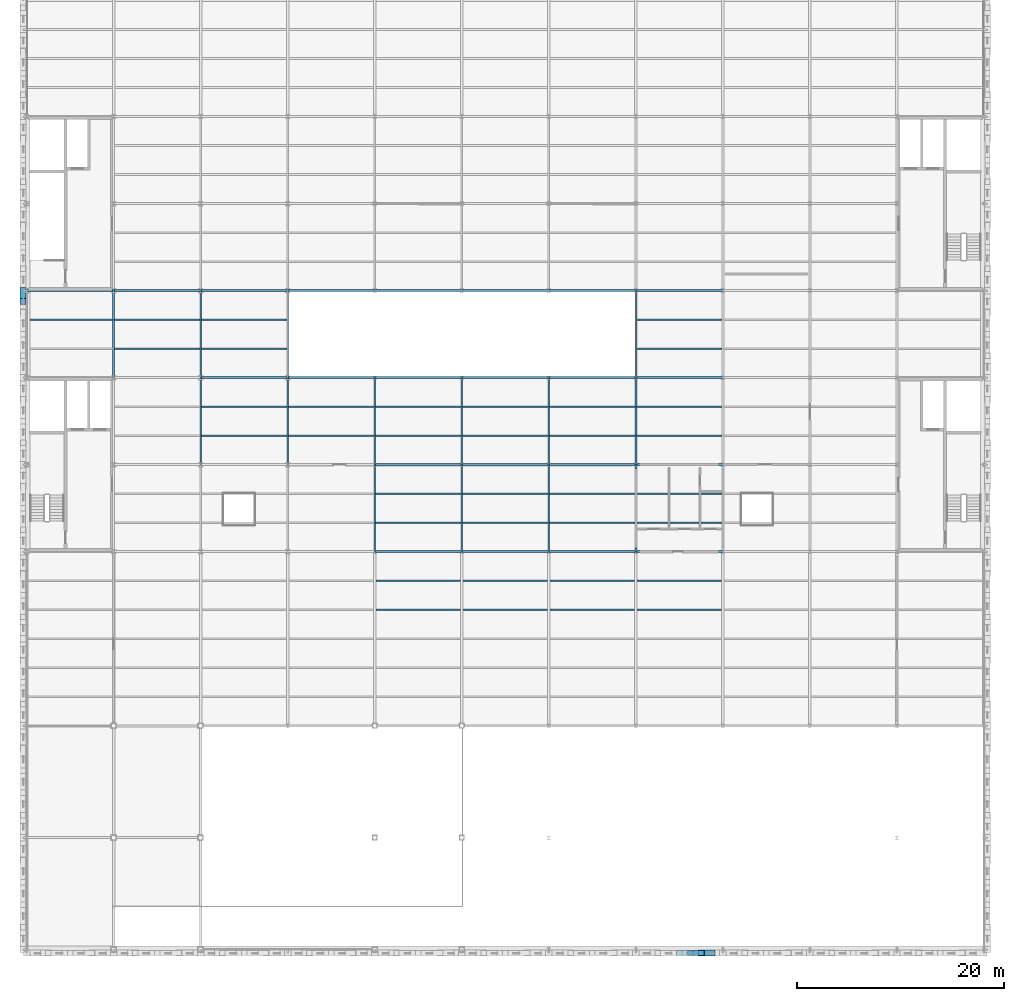
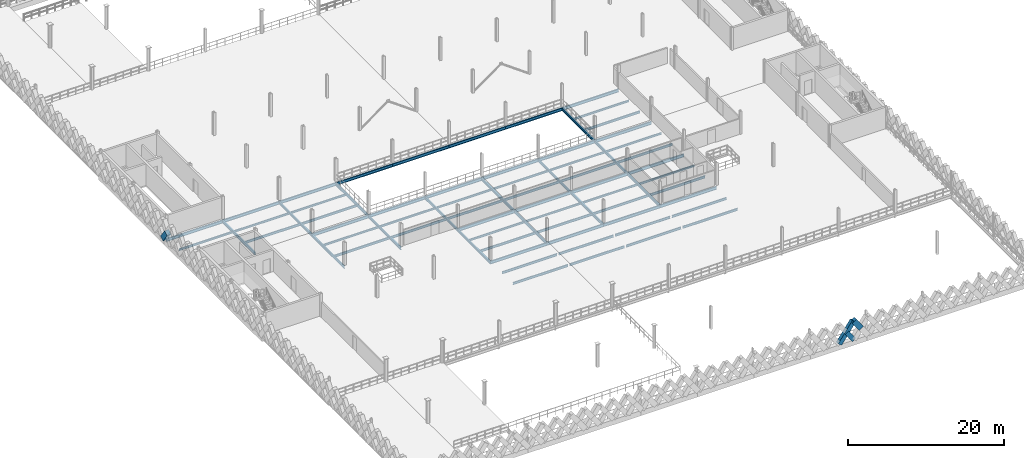
# One storey, part 17 of 47: 71 beams, 4 members.
"""IFC4 building model written with IfcOpenShell, lengths in metres."""

from ifc_helpers import new_model, si_unit, direction, frame, origin, origin_2d, place, context, subcontext, project, spatial, rectangle, i_section, extrude, material, material_profile, profile_set, type_object, element, save


model = new_model("IFC4")

# Units and contexts
model_context = context("Model", 3, precision=1e-05, world=origin(), true_north=direction((0.0, 1.0)))
body_context = subcontext(model_context, "Body", "Model", "MODEL_VIEW")
ifc_project = project(units=[si_unit("LENGTHUNIT", "METRE"), si_unit("AREAUNIT", "SQUARE_METRE"), si_unit("VOLUMEUNIT", "CUBIC_METRE"), si_unit("PLANEANGLEUNIT", "RADIAN"), si_unit("MASSUNIT", "GRAM", prefix="KILO"), si_unit("THERMODYNAMICTEMPERATUREUNIT", "KELVIN"), si_unit("POWERUNIT", "WATT")], contexts=[model_context])

# Site, building, storey
site_placement = place(None, origin())
site = spatial("IfcSite", under=ifc_project, at=site_placement, CompositionType="ELEMENT")
building_placement = place(site_placement, origin())
building = spatial("IfcBuilding", under=site, at=building_placement, Name="Tembeka Court Mobility Hub", CompositionType="ELEMENT")
storey_placement = place(building_placement, frame((0.0, 0.0, 19.800048828125)))
storey = spatial("IfcBuildingStorey", under=building, at=storey_placement, Name="L05", CompositionType="ELEMENT", Elevation=19.800048828125)

# Beams
ifc_material_1 = material(Name="Steel S355", Category="steel")
ifc_material_profile_1 = material_profile(ifc_material_1, i_section(OverallWidth=0.18994140625, OverallDepth=0.45703125, WebThickness=0.009033203125, FlangeThickness=0.014404296875, FilletRadius=0.01025390625, at=origin_2d()), Name="UKB 457x191x74")
ifc_profile_set_1 = profile_set([ifc_material_profile_1], Name="Steel S355")
beam_type_1 = type_object("IfcBeamType", Name="BM-B01", PredefinedType="BEAM", material=ifc_profile_set_1)
for number, where, z_axis, x_axis, name in (
    (1, (33.60009765625, 38.39990234375, -0.448486328125), (1.0, 0.0, 0.0), (0.0, 1.0, 0.0), "Beam B01 (BM-L05-X2695)"),
    (2, (42.0, 38.39990234375, -0.448486328125), (1.0, 0.0, 0.0), (0.0, 1.0, 0.0), "Beam B01 (BM-L05-X2696)"),
):
    element("IfcBeam", number, at=place(storey_placement, frame(where, z_axis=z_axis, x_axis=x_axis)), inside=storey, type_object=beam_type_1, Name=name, PredefinedType="BEAM", context=body_context, shape_type="SweptSolid", body=[
        extrude(i_section(OverallWidth=0.18994140625, OverallDepth=0.45703125, WebThickness=0.009033203125, FlangeThickness=0.014404296875, FilletRadius=0.01025390625, at=origin_2d()), origin(), (0.0, 0.0, 1.0), 8.39990234375),
    ])
beam_1_placement = place(storey_placement, frame((50.39990234375, 38.39990234375, -0.448486328125), z_axis=(1.0, 0.0, 0.0), x_axis=(0.0, 1.0, 0.0)))
element("IfcBeam", 3, at=beam_1_placement, inside=storey, type_object=beam_type_1, Name="Beam B01 (BM-L05-X2697)", PredefinedType="BEAM", context=body_context, shape_type="SweptSolid", body=[
    extrude(i_section(OverallWidth=0.18994140625, OverallDepth=0.45703125, WebThickness=0.009033203125, FlangeThickness=0.014404296875, FilletRadius=0.01025390625, at=origin_2d()), origin(), (0.0, 0.0, 1.0), 8.400146484375),
])
for number, where, z_axis, x_axis, name in (
    (4, (58.800048828125, 38.39990234375, -0.448486328125), (1.0, 0.0, 0.0), (0.0, 1.0, 0.0), "Beam B01 (BM-L05-X2698)"),
    (5, (33.60009765625, 46.800048828125, -0.448486328125), (1.0, 0.0, 0.0), (0.0, 1.0, 0.0), "Beam B01 (BM-L05-X2705)"),
    (6, (42.0, 46.800048828125, -0.448486328125), (1.0, 0.0, 0.0), (0.0, 1.0, 0.0), "Beam B01 (BM-L05-X2706)"),
):
    element("IfcBeam", number, at=place(storey_placement, frame(where, z_axis=z_axis, x_axis=x_axis)), inside=storey, type_object=beam_type_1, Name=name, PredefinedType="BEAM", context=body_context, shape_type="SweptSolid", body=[
        extrude(i_section(OverallWidth=0.18994140625, OverallDepth=0.45703125, WebThickness=0.009033203125, FlangeThickness=0.014404296875, FilletRadius=0.01025390625, at=origin_2d()), origin(), (0.0, 0.0, 1.0), 8.39990234375),
    ])
beam_2_placement = place(storey_placement, frame((50.39990234375, 46.800048828125, -0.448486328125), z_axis=(1.0, 0.0, 0.0), x_axis=(0.0, 1.0, 0.0)))
element("IfcBeam", 7, at=beam_2_placement, inside=storey, type_object=beam_type_1, Name="Beam B01 (BM-L05-X2707)", PredefinedType="BEAM", context=body_context, shape_type="SweptSolid", body=[
    extrude(i_section(OverallWidth=0.18994140625, OverallDepth=0.45703125, WebThickness=0.009033203125, FlangeThickness=0.014404296875, FilletRadius=0.01025390625, at=origin_2d()), origin(), (0.0, 0.0, 1.0), 8.400146484375),
])
for number, where, z_axis, x_axis, name in (
    (8, (58.800048828125, 46.800048828125, -0.448486328125), (1.0, 0.0, 0.0), (0.0, 1.0, 0.0), "Beam B01 (BM-L05-X2708)"),
    (9, (16.800048828125, 55.199951171875, -0.448486328125), (1.0, 0.0, 0.0), (0.0, 1.0, 0.0), "Beam B01 (BM-L05-X2713)"),
):
    element("IfcBeam", number, at=place(storey_placement, frame(where, z_axis=z_axis, x_axis=x_axis)), inside=storey, type_object=beam_type_1, Name=name, PredefinedType="BEAM", context=body_context, shape_type="SweptSolid", body=[
        extrude(i_section(OverallWidth=0.18994140625, OverallDepth=0.45703125, WebThickness=0.009033203125, FlangeThickness=0.014404296875, FilletRadius=0.01025390625, at=origin_2d()), origin(), (0.0, 0.0, 1.0), 8.39990234375),
    ])
beam_3_placement = place(storey_placement, frame((25.199951171875, 55.199951171875, -0.448486328125), z_axis=(1.0, 0.0, 0.0), x_axis=(0.0, 1.0, 0.0)))
element("IfcBeam", 10, at=beam_3_placement, inside=storey, type_object=beam_type_1, Name="Beam B01 (BM-L05-X2714)", PredefinedType="BEAM", context=body_context, shape_type="SweptSolid", body=[
    extrude(i_section(OverallWidth=0.18994140625, OverallDepth=0.45703125, WebThickness=0.009033203125, FlangeThickness=0.014404296875, FilletRadius=0.01025390625, at=origin_2d()), origin(), (0.0, 0.0, 1.0), 8.400146484375),
])
for number, where, z_axis, x_axis, name in (
    (11, (33.60009765625, 55.199951171875, -0.448486328125), (1.0, 0.0, 0.0), (0.0, 1.0, 0.0), "Beam B01 (BM-L05-X2715)"),
    (12, (42.0, 55.199951171875, -0.448486328125), (1.0, 0.0, 0.0), (0.0, 1.0, 0.0), "Beam B01 (BM-L05-X2716)"),
):
    element("IfcBeam", number, at=place(storey_placement, frame(where, z_axis=z_axis, x_axis=x_axis)), inside=storey, type_object=beam_type_1, Name=name, PredefinedType="BEAM", context=body_context, shape_type="SweptSolid", body=[
        extrude(i_section(OverallWidth=0.18994140625, OverallDepth=0.45703125, WebThickness=0.009033203125, FlangeThickness=0.014404296875, FilletRadius=0.01025390625, at=origin_2d()), origin(), (0.0, 0.0, 1.0), 8.39990234375),
    ])
beam_4_placement = place(storey_placement, frame((50.39990234375, 55.199951171875, -0.448486328125), z_axis=(1.0, 0.0, 0.0), x_axis=(0.0, 1.0, 0.0)))
element("IfcBeam", 13, at=beam_4_placement, inside=storey, type_object=beam_type_1, Name="Beam B01 (BM-L05-X2717)", PredefinedType="BEAM", context=body_context, shape_type="SweptSolid", body=[
    extrude(i_section(OverallWidth=0.18994140625, OverallDepth=0.45703125, WebThickness=0.009033203125, FlangeThickness=0.014404296875, FilletRadius=0.01025390625, at=origin_2d()), origin(), (0.0, 0.0, 1.0), 8.400146484375),
])
for number, where, z_axis, x_axis, name in (
    (14, (58.800048828125, 55.199951171875, -0.448486328125), (1.0, 0.0, 0.0), (0.0, 1.0, 0.0), "Beam B01 (BM-L05-X2718)"),
    (15, (0.0, 63.60009765625, -0.448486328125), (1.0, 0.0, 0.0), (0.0, 1.0, 0.0), "Beam B01 (BM-L05-X2722)"),
):
    element("IfcBeam", number, at=place(storey_placement, frame(where, z_axis=z_axis, x_axis=x_axis)), inside=storey, type_object=beam_type_1, Name=name, PredefinedType="BEAM", context=body_context, shape_type="SweptSolid", body=[
        extrude(i_section(OverallWidth=0.18994140625, OverallDepth=0.45703125, WebThickness=0.009033203125, FlangeThickness=0.014404296875, FilletRadius=0.01025390625, at=origin_2d()), origin(), (0.0, 0.0, 1.0), 8.39990234375),
    ])
beam_5_placement = place(storey_placement, frame((8.39990234375, 63.60009765625, -0.448486328125), z_axis=(1.0, 0.0, 0.0), x_axis=(0.0, 1.0, 0.0)))
element("IfcBeam", 16, at=beam_5_placement, inside=storey, type_object=beam_type_1, Name="Beam B01 (BM-L05-X2723)", PredefinedType="BEAM", context=body_context, shape_type="SweptSolid", body=[
    extrude(i_section(OverallWidth=0.18994140625, OverallDepth=0.45703125, WebThickness=0.009033203125, FlangeThickness=0.014404296875, FilletRadius=0.01025390625, at=origin_2d()), origin(), (0.0, 0.0, 1.0), 8.400146484375),
])
beam_6_placement = place(storey_placement, frame((16.800048828125, 63.60009765625, -0.448486328125), z_axis=(1.0, 0.0, 0.0), x_axis=(0.0, 1.0, 0.0)))
element("IfcBeam", 17, at=beam_6_placement, inside=storey, type_object=beam_type_1, Name="Beam B01 (BM-L05-X2724)", PredefinedType="BEAM", context=body_context, shape_type="SweptSolid", body=[
    extrude(i_section(OverallWidth=0.18994140625, OverallDepth=0.45703125, WebThickness=0.009033203125, FlangeThickness=0.014404296875, FilletRadius=0.01025390625, at=origin_2d()), origin(), (0.0, 0.0, 1.0), 8.39990234375),
])
beam_7_placement = place(storey_placement, frame((25.199951171875, 63.60009765625, -0.448486328125), z_axis=(1.0, 0.0, 0.0), x_axis=(0.0, 1.0, 0.0)))
element("IfcBeam", 18, at=beam_7_placement, inside=storey, type_object=beam_type_1, Name="Beam B01 (BM-L05-X2725)", PredefinedType="BEAM", context=body_context, shape_type="SweptSolid", body=[
    extrude(i_section(OverallWidth=0.18994140625, OverallDepth=0.45703125, WebThickness=0.009033203125, FlangeThickness=0.014404296875, FilletRadius=0.01025390625, at=origin_2d()), origin(), (0.0, 0.0, 1.0), 8.400146484375),
])
for number, where, z_axis, x_axis, name in (
    (19, (33.60009765625, 63.60009765625, -0.448486328125), (1.0, 0.0, 0.0), (0.0, 1.0, 0.0), "Beam B01 (BM-L05-X2726)"),
    (20, (42.0, 63.60009765625, -0.448486328125), (1.0, 0.0, 0.0), (0.0, 1.0, 0.0), "Beam B01 (BM-L05-X2727)"),
):
    element("IfcBeam", number, at=place(storey_placement, frame(where, z_axis=z_axis, x_axis=x_axis)), inside=storey, type_object=beam_type_1, Name=name, PredefinedType="BEAM", context=body_context, shape_type="SweptSolid", body=[
        extrude(i_section(OverallWidth=0.18994140625, OverallDepth=0.45703125, WebThickness=0.009033203125, FlangeThickness=0.014404296875, FilletRadius=0.01025390625, at=origin_2d()), origin(), (0.0, 0.0, 1.0), 8.39990234375),
    ])
beam_8_placement = place(storey_placement, frame((50.39990234375, 63.60009765625, -0.448486328125), z_axis=(1.0, 0.0, 0.0), x_axis=(0.0, 1.0, 0.0)))
element("IfcBeam", 21, at=beam_8_placement, inside=storey, type_object=beam_type_1, Name="Beam B01 (BM-L05-X2728)", PredefinedType="BEAM", context=body_context, shape_type="SweptSolid", body=[
    extrude(i_section(OverallWidth=0.18994140625, OverallDepth=0.45703125, WebThickness=0.009033203125, FlangeThickness=0.014404296875, FilletRadius=0.01025390625, at=origin_2d()), origin(), (0.0, 0.0, 1.0), 8.400146484375),
])
beam_9_placement = place(storey_placement, frame((58.800048828125, 63.60009765625, -0.448486328125), z_axis=(1.0, 0.0, 0.0), x_axis=(0.0, 1.0, 0.0)))
element("IfcBeam", 22, at=beam_9_placement, inside=storey, type_object=beam_type_1, Name="Beam B01 (BM-L05-X2729)", PredefinedType="BEAM", context=body_context, shape_type="SweptSolid", body=[
    extrude(i_section(OverallWidth=0.18994140625, OverallDepth=0.45703125, WebThickness=0.009033203125, FlangeThickness=0.014404296875, FilletRadius=0.01025390625, at=origin_2d()), origin(), (0.0, 0.0, 1.0), 8.39990234375),
])
ifc_material_profile_2 = material_profile(ifc_material_1, i_section(OverallWidth=0.177978515625, OverallDepth=0.406005859375, WebThickness=0.0078125, FlangeThickness=0.0126953125, FilletRadius=0.01025390625, at=origin_2d()), Name="UKB 406x178x60")
ifc_profile_set_2 = profile_set([ifc_material_profile_2], Name="Steel S355")
beam_type_2 = type_object("IfcBeamType", Name="BM-B02", PredefinedType="BEAM", material=ifc_profile_set_2)
beam_10_placement = place(storey_placement, frame((8.39990234375, 55.199951171875, -0.423095703125), z_axis=(0.0, 1.0, 0.0), x_axis=(-1.0, 0.0, 0.0)))
element("IfcBeam", 23, at=beam_10_placement, inside=storey, type_object=beam_type_2, Name="Beam B02 (BM-L05-Y2792)", PredefinedType="BEAM", context=body_context, shape_type="SweptSolid", body=[
    extrude(i_section(OverallWidth=0.177978515625, OverallDepth=0.406005859375, WebThickness=0.0078125, FlangeThickness=0.0126953125, FilletRadius=0.01025390625, at=origin_2d()), origin(), (0.0, 0.0, 1.0), 8.400146484375),
])
beam_11_placement = place(storey_placement, frame((16.800048828125, 46.800048828125, -0.423095703125), z_axis=(0.0, 1.0, 0.0), x_axis=(-1.0, 0.0, 0.0)))
element("IfcBeam", 24, at=beam_11_placement, inside=storey, type_object=beam_type_2, Name="Beam B02 (BM-L05-Y2802)", PredefinedType="BEAM", context=body_context, shape_type="SweptSolid", body=[
    extrude(i_section(OverallWidth=0.177978515625, OverallDepth=0.406005859375, WebThickness=0.0078125, FlangeThickness=0.0126953125, FilletRadius=0.01025390625, at=origin_2d()), origin(), (0.0, 0.0, 1.0), 8.39990234375),
])
beam_12_placement = place(storey_placement, frame((16.800048828125, 55.199951171875, -0.423095703125), z_axis=(0.0, 1.0, 0.0), x_axis=(-1.0, 0.0, 0.0)))
element("IfcBeam", 25, at=beam_12_placement, inside=storey, type_object=beam_type_2, Name="Beam B02 (BM-L05-Y2803)", PredefinedType="BEAM", context=body_context, shape_type="SweptSolid", body=[
    extrude(i_section(OverallWidth=0.177978515625, OverallDepth=0.406005859375, WebThickness=0.0078125, FlangeThickness=0.0126953125, FilletRadius=0.01025390625, at=origin_2d()), origin(), (0.0, 0.0, 1.0), 8.400146484375),
])
beam_13_placement = place(storey_placement, frame((25.199951171875, 46.800048828125, -0.423095703125), z_axis=(0.0, 1.0, 0.0), x_axis=(-1.0, 0.0, 0.0)))
element("IfcBeam", 26, at=beam_13_placement, inside=storey, type_object=beam_type_2, Name="Beam B02 (BM-L05-Y2811)", PredefinedType="BEAM", context=body_context, shape_type="SweptSolid", body=[
    extrude(i_section(OverallWidth=0.177978515625, OverallDepth=0.406005859375, WebThickness=0.0078125, FlangeThickness=0.0126953125, FilletRadius=0.01025390625, at=origin_2d()), origin(), (0.0, 0.0, 1.0), 8.39990234375),
])
for number, where, z_axis, x_axis, name in (
    (27, (25.199951171875, 55.199951171875, -0.423095703125), (0.0, 1.0, 0.0), (-1.0, 0.0, 0.0), "Beam B02 (BM-L05-Y2812)"),
    (28, (33.60009765625, 38.39990234375, -0.423095703125), (0.0, 1.0, 0.0), (-1.0, 0.0, 0.0), "Beam B02 (BM-L05-Y2817)"),
):
    element("IfcBeam", number, at=place(storey_placement, frame(where, z_axis=z_axis, x_axis=x_axis)), inside=storey, type_object=beam_type_2, Name=name, PredefinedType="BEAM", context=body_context, shape_type="SweptSolid", body=[
        extrude(i_section(OverallWidth=0.177978515625, OverallDepth=0.406005859375, WebThickness=0.0078125, FlangeThickness=0.0126953125, FilletRadius=0.01025390625, at=origin_2d()), origin(), (0.0, 0.0, 1.0), 8.400146484375),
    ])
beam_14_placement = place(storey_placement, frame((33.60009765625, 46.800048828125, -0.423095703125), z_axis=(0.0, 1.0, 0.0), x_axis=(-1.0, 0.0, 0.0)))
element("IfcBeam", 29, at=beam_14_placement, inside=storey, type_object=beam_type_2, Name="Beam B02 (BM-L05-Y2818)", PredefinedType="BEAM", context=body_context, shape_type="SweptSolid", body=[
    extrude(i_section(OverallWidth=0.177978515625, OverallDepth=0.406005859375, WebThickness=0.0078125, FlangeThickness=0.0126953125, FilletRadius=0.01025390625, at=origin_2d()), origin(), (0.0, 0.0, 1.0), 8.39990234375),
])
beam_15_placement = place(storey_placement, frame((42.0, 38.39990234375, -0.423095703125), z_axis=(0.0, 1.0, 0.0), x_axis=(-1.0, 0.0, 0.0)))
element("IfcBeam", 30, at=beam_15_placement, inside=storey, type_object=beam_type_2, Name="Beam B02 (BM-L05-Y2823)", PredefinedType="BEAM", context=body_context, shape_type="SweptSolid", body=[
    extrude(i_section(OverallWidth=0.177978515625, OverallDepth=0.406005859375, WebThickness=0.0078125, FlangeThickness=0.0126953125, FilletRadius=0.01025390625, at=origin_2d()), origin(), (0.0, 0.0, 1.0), 8.400146484375),
])
beam_16_placement = place(storey_placement, frame((42.0, 46.800048828125, -0.423095703125), z_axis=(0.0, 1.0, 0.0), x_axis=(-1.0, 0.0, 0.0)))
element("IfcBeam", 31, at=beam_16_placement, inside=storey, type_object=beam_type_2, Name="Beam B02 (BM-L05-Y2824)", PredefinedType="BEAM", context=body_context, shape_type="SweptSolid", body=[
    extrude(i_section(OverallWidth=0.177978515625, OverallDepth=0.406005859375, WebThickness=0.0078125, FlangeThickness=0.0126953125, FilletRadius=0.01025390625, at=origin_2d()), origin(), (0.0, 0.0, 1.0), 8.39990234375),
])
beam_17_placement = place(storey_placement, frame((50.39990234375, 38.39990234375, -0.423095703125), z_axis=(0.0, 1.0, 0.0), x_axis=(-1.0, 0.0, 0.0)))
element("IfcBeam", 32, at=beam_17_placement, inside=storey, type_object=beam_type_2, Name="Beam B02 (BM-L05-Y2829)", PredefinedType="BEAM", context=body_context, shape_type="SweptSolid", body=[
    extrude(i_section(OverallWidth=0.177978515625, OverallDepth=0.406005859375, WebThickness=0.0078125, FlangeThickness=0.0126953125, FilletRadius=0.01025390625, at=origin_2d()), origin(), (0.0, 0.0, 1.0), 8.400146484375),
])
beam_18_placement = place(storey_placement, frame((50.39990234375, 46.800048828125, -0.423095703125), z_axis=(0.0, 1.0, 0.0), x_axis=(-1.0, 0.0, 0.0)))
element("IfcBeam", 33, at=beam_18_placement, inside=storey, type_object=beam_type_2, Name="Beam B02 (BM-L05-Y2830)", PredefinedType="BEAM", context=body_context, shape_type="SweptSolid", body=[
    extrude(i_section(OverallWidth=0.177978515625, OverallDepth=0.406005859375, WebThickness=0.0078125, FlangeThickness=0.0126953125, FilletRadius=0.01025390625, at=origin_2d()), origin(), (0.0, 0.0, 1.0), 8.39990234375),
])
beam_19_placement = place(storey_placement, frame((58.800048828125, 38.39990234375, -0.423095703125), z_axis=(0.0, 1.0, 0.0), x_axis=(-1.0, 0.0, 0.0)))
element("IfcBeam", 34, at=beam_19_placement, inside=storey, type_object=beam_type_2, Name="Beam B02 (BM-L05-Y2835)", PredefinedType="BEAM", context=body_context, shape_type="SweptSolid", body=[
    extrude(i_section(OverallWidth=0.177978515625, OverallDepth=0.406005859375, WebThickness=0.0078125, FlangeThickness=0.0126953125, FilletRadius=0.01025390625, at=origin_2d()), origin(), (0.0, 0.0, 1.0), 8.400146484375),
])
beam_20_placement = place(storey_placement, frame((58.800048828125, 46.800048828125, -0.423095703125), z_axis=(0.0, 1.0, 0.0), x_axis=(-1.0, 0.0, 0.0)))
element("IfcBeam", 35, at=beam_20_placement, inside=storey, type_object=beam_type_2, Name="Beam B02 (BM-L05-Y2836)", PredefinedType="BEAM", context=body_context, shape_type="SweptSolid", body=[
    extrude(i_section(OverallWidth=0.177978515625, OverallDepth=0.406005859375, WebThickness=0.0078125, FlangeThickness=0.0126953125, FilletRadius=0.01025390625, at=origin_2d()), origin(), (0.0, 0.0, 1.0), 8.39990234375),
])
beam_21_placement = place(storey_placement, frame((58.800048828125, 55.199951171875, -0.423095703125), z_axis=(0.0, 1.0, 0.0), x_axis=(-1.0, 0.0, 0.0)))
element("IfcBeam", 36, at=beam_21_placement, inside=storey, type_object=beam_type_2, Name="Beam B02 (BM-L05-Y2837)", PredefinedType="BEAM", context=body_context, shape_type="SweptSolid", body=[
    extrude(i_section(OverallWidth=0.177978515625, OverallDepth=0.406005859375, WebThickness=0.0078125, FlangeThickness=0.0126953125, FilletRadius=0.01025390625, at=origin_2d()), origin(), (0.0, 0.0, 1.0), 8.400146484375),
])
ifc_material_profile_3 = material_profile(ifc_material_1, i_section(OverallWidth=0.172119140625, OverallDepth=0.35498046875, WebThickness=0.00732421875, FlangeThickness=0.011474609375, FilletRadius=0.01025390625, at=origin_2d()), Name="UKB 356x171x51")
ifc_profile_set_3 = profile_set([ifc_material_profile_3], Name="Steel S355")
beam_type_3 = type_object("IfcBeamType", Name="BM-J01", PredefinedType="JOIST", material=ifc_profile_set_3)
for number, where, z_axis, x_axis, name in (
    (37, (33.721923828125, 32.800048828125, -0.3974609375), (1.0, 0.0, 0.0), (0.0, 1.0, 0.0), "Beam J01 (JST-L05-2954)"),
    (38, (33.721923828125, 35.60009765625, -0.3974609375), (1.0, 0.0, 0.0), (0.0, 1.0, 0.0), "Beam J01 (JST-L05-2955)"),
    (39, (42.1220703125, 32.800048828125, -0.3974609375), (1.0, 0.0, 0.0), (0.0, 1.0, 0.0), "Beam J01 (JST-L05-2972)"),
    (40, (42.1220703125, 35.60009765625, -0.3974609375), (1.0, 0.0, 0.0), (0.0, 1.0, 0.0), "Beam J01 (JST-L05-2973)"),
    (41, (50.52197265625, 32.800048828125, -0.3974609375), (1.0, 0.0, 0.0), (0.0, 1.0, 0.0), "Beam J01 (JST-L05-2990)"),
    (42, (50.52197265625, 35.60009765625, -0.3974609375), (1.0, 0.0, 0.0), (0.0, 1.0, 0.0), "Beam J01 (JST-L05-2991)"),
):
    element("IfcBeam", number, at=place(storey_placement, frame(where, z_axis=z_axis, x_axis=x_axis)), inside=storey, type_object=beam_type_3, Name=name, PredefinedType="JOIST", context=body_context, shape_type="SweptSolid", body=[
        extrude(i_section(OverallWidth=0.172119140625, OverallDepth=0.35498046875, WebThickness=0.00732421875, FlangeThickness=0.011474609375, FilletRadius=0.01025390625, at=origin_2d()), origin(), (0.0, 0.0, 1.0), 8.156005859375),
    ])
for number, where, z_axis, x_axis, name in (
    (43, (58.922119140625, 32.800048828125, -0.3974609375), (1.0, 0.0, 0.0), (0.0, 1.0, 0.0), "Beam J01 (JST-L05-3008)"),
    (44, (58.922119140625, 35.60009765625, -0.3974609375), (1.0, 0.0, 0.0), (0.0, 1.0, 0.0), "Beam J01 (JST-L05-3009)"),
):
    element("IfcBeam", number, at=place(storey_placement, frame(where, z_axis=z_axis, x_axis=x_axis)), inside=storey, type_object=beam_type_3, Name=name, PredefinedType="JOIST", context=body_context, shape_type="SweptSolid", body=[
        extrude(i_section(OverallWidth=0.172119140625, OverallDepth=0.35498046875, WebThickness=0.00732421875, FlangeThickness=0.011474609375, FilletRadius=0.01025390625, at=origin_2d()), origin(), (0.0, 0.0, 1.0), 8.15576171875),
    ])
ifc_material_profile_4 = material_profile(ifc_material_1, i_section(OverallWidth=0.1650390625, OverallDepth=0.303955078125, WebThickness=0.006103515625, FlangeThickness=0.01025390625, FilletRadius=0.0087890625, at=origin_2d()), Name="UKB 305x165x40")
ifc_profile_set_4 = profile_set([ifc_material_profile_4], Name="Steel S355")
beam_type_4 = type_object("IfcBeamType", Name="BM-J02", PredefinedType="JOIST", material=ifc_profile_set_4)
beam_22_placement = place(storey_placement, frame((0.320068359375, 60.800048828125, -0.3720703125), z_axis=(1.0, 0.0, 0.0), x_axis=(0.0, 1.0, 0.0)))
element("IfcBeam", 45, at=beam_22_placement, inside=storey, type_object=beam_type_4, Name="Beam J02 (JST-L05-2887)", PredefinedType="JOIST", context=body_context, shape_type="SweptSolid", body=[
    extrude(i_section(OverallWidth=0.1650390625, OverallDepth=0.303955078125, WebThickness=0.006103515625, FlangeThickness=0.01025390625, FilletRadius=0.0087890625, at=origin_2d()), origin(), (0.0, 0.0, 1.0), 7.995849609375),
])
beam_23_placement = place(storey_placement, frame((8.48388671875, 60.800048828125, -0.3720703125), z_axis=(1.0, 0.0, 0.0), x_axis=(0.0, 1.0, 0.0)))
element("IfcBeam", 46, at=beam_23_placement, inside=storey, type_object=beam_type_4, Name="Beam J02 (JST-L05-2903)", PredefinedType="JOIST", context=body_context, shape_type="SweptSolid", body=[
    extrude(i_section(OverallWidth=0.1650390625, OverallDepth=0.303955078125, WebThickness=0.006103515625, FlangeThickness=0.01025390625, FilletRadius=0.0087890625, at=origin_2d()), origin(), (0.0, 0.0, 1.0), 8.232177734375),
])
for number, where, z_axis, x_axis, name in (
    (47, (16.884033203125, 52.39990234375, -0.3720703125), (1.0, 0.0, 0.0), (0.0, 1.0, 0.0), "Beam J02 (JST-L05-2921)"),
    (48, (16.884033203125, 60.800048828125, -0.3720703125), (1.0, 0.0, 0.0), (0.0, 1.0, 0.0), "Beam J02 (JST-L05-2923)"),
):
    element("IfcBeam", number, at=place(storey_placement, frame(where, z_axis=z_axis, x_axis=x_axis)), inside=storey, type_object=beam_type_4, Name=name, PredefinedType="JOIST", context=body_context, shape_type="SweptSolid", body=[
        extrude(i_section(OverallWidth=0.1650390625, OverallDepth=0.303955078125, WebThickness=0.006103515625, FlangeThickness=0.01025390625, FilletRadius=0.0087890625, at=origin_2d()), origin(), (0.0, 0.0, 1.0), 8.23193359375),
    ])
beam_24_placement = place(storey_placement, frame((25.283935546875, 52.39990234375, -0.3720703125), z_axis=(1.0, 0.0, 0.0), x_axis=(0.0, 1.0, 0.0)))
element("IfcBeam", 49, at=beam_24_placement, inside=storey, type_object=beam_type_4, Name="Beam J02 (JST-L05-2941)", PredefinedType="JOIST", context=body_context, shape_type="SweptSolid", body=[
    extrude(i_section(OverallWidth=0.1650390625, OverallDepth=0.303955078125, WebThickness=0.006103515625, FlangeThickness=0.01025390625, FilletRadius=0.0087890625, at=origin_2d()), origin(), (0.0, 0.0, 1.0), 8.232177734375),
])
for number, where, z_axis, x_axis, name in (
    (50, (33.68408203125, 44.0, -0.3720703125), (1.0, 0.0, 0.0), (0.0, 1.0, 0.0), "Beam J02 (JST-L05-2957)"),
    (51, (33.68408203125, 52.39990234375, -0.3720703125), (1.0, 0.0, 0.0), (0.0, 1.0, 0.0), "Beam J02 (JST-L05-2959)"),
    (52, (42.083984375, 44.0, -0.3720703125), (1.0, 0.0, 0.0), (0.0, 1.0, 0.0), "Beam J02 (JST-L05-2975)"),
    (53, (42.083984375, 52.39990234375, -0.3720703125), (1.0, 0.0, 0.0), (0.0, 1.0, 0.0), "Beam J02 (JST-L05-2977)"),
):
    element("IfcBeam", number, at=place(storey_placement, frame(where, z_axis=z_axis, x_axis=x_axis)), inside=storey, type_object=beam_type_4, Name=name, PredefinedType="JOIST", context=body_context, shape_type="SweptSolid", body=[
        extrude(i_section(OverallWidth=0.1650390625, OverallDepth=0.303955078125, WebThickness=0.006103515625, FlangeThickness=0.01025390625, FilletRadius=0.0087890625, at=origin_2d()), origin(), (0.0, 0.0, 1.0), 8.23193359375),
    ])
for number, where, z_axis, x_axis, name in (
    (54, (50.48388671875, 44.0, -0.3720703125), (1.0, 0.0, 0.0), (0.0, 1.0, 0.0), "Beam J02 (JST-L05-2993)"),
    (55, (50.48388671875, 52.39990234375, -0.3720703125), (1.0, 0.0, 0.0), (0.0, 1.0, 0.0), "Beam J02 (JST-L05-2995)"),
):
    element("IfcBeam", number, at=place(storey_placement, frame(where, z_axis=z_axis, x_axis=x_axis)), inside=storey, type_object=beam_type_4, Name=name, PredefinedType="JOIST", context=body_context, shape_type="SweptSolid", body=[
        extrude(i_section(OverallWidth=0.1650390625, OverallDepth=0.303955078125, WebThickness=0.006103515625, FlangeThickness=0.01025390625, FilletRadius=0.0087890625, at=origin_2d()), origin(), (0.0, 0.0, 1.0), 8.232177734375),
    ])
for number, where, z_axis, x_axis, name in (
    (56, (58.884033203125, 44.0, -0.3720703125), (1.0, 0.0, 0.0), (0.0, 1.0, 0.0), "Beam J02 (JST-L05-3011)"),
    (57, (58.884033203125, 52.39990234375, -0.3720703125), (1.0, 0.0, 0.0), (0.0, 1.0, 0.0), "Beam J02 (JST-L05-3013)"),
    (58, (58.884033203125, 60.800048828125, -0.3720703125), (1.0, 0.0, 0.0), (0.0, 1.0, 0.0), "Beam J02 (JST-L05-3015)"),
):
    element("IfcBeam", number, at=place(storey_placement, frame(where, z_axis=z_axis, x_axis=x_axis)), inside=storey, type_object=beam_type_4, Name=name, PredefinedType="JOIST", context=body_context, shape_type="SweptSolid", body=[
        extrude(i_section(OverallWidth=0.1650390625, OverallDepth=0.303955078125, WebThickness=0.006103515625, FlangeThickness=0.01025390625, FilletRadius=0.0087890625, at=origin_2d()), origin(), (0.0, 0.0, 1.0), 8.23193359375),
    ])
ifc_material_profile_5 = material_profile(ifc_material_1, i_section(OverallWidth=0.169921875, OverallDepth=0.360107421875, WebThickness=0.008056640625, FlangeThickness=0.0126953125, FilletRadius=0.01806640625, at=origin_2d()), Name="IPE 360")
ifc_profile_set_5 = profile_set([ifc_material_profile_5], Name="Steel S355")
beam_type_5 = type_object("IfcBeamType", Name="BM-J03", PredefinedType="JOIST", material=ifc_profile_set_5)
beam_25_placement = place(storey_placement, frame((8.48388671875, 58.0, -0.400146484375), z_axis=(1.0, 0.0, 0.0), x_axis=(0.0, 1.0, 0.0)))
element("IfcBeam", 59, at=beam_25_placement, inside=storey, type_object=beam_type_5, Name="Beam J03 (JST-L05-2902)", PredefinedType="JOIST", context=body_context, shape_type="SweptSolid", body=[
    extrude(i_section(OverallWidth=0.169921875, OverallDepth=0.360107421875, WebThickness=0.008056640625, FlangeThickness=0.0126953125, FilletRadius=0.01806640625, at=origin_2d()), origin(), (0.0, 0.0, 1.0), 8.232177734375),
])
for number, where, z_axis, x_axis, name in (
    (60, (16.884033203125, 49.60009765625, -0.400146484375), (1.0, 0.0, 0.0), (0.0, 1.0, 0.0), "Beam J03 (JST-L05-2920)"),
    (61, (16.884033203125, 58.0, -0.400146484375), (1.0, 0.0, 0.0), (0.0, 1.0, 0.0), "Beam J03 (JST-L05-2922)"),
):
    element("IfcBeam", number, at=place(storey_placement, frame(where, z_axis=z_axis, x_axis=x_axis)), inside=storey, type_object=beam_type_5, Name=name, PredefinedType="JOIST", context=body_context, shape_type="SweptSolid", body=[
        extrude(i_section(OverallWidth=0.169921875, OverallDepth=0.360107421875, WebThickness=0.008056640625, FlangeThickness=0.0126953125, FilletRadius=0.01806640625, at=origin_2d()), origin(), (0.0, 0.0, 1.0), 8.23193359375),
    ])
beam_26_placement = place(storey_placement, frame((25.283935546875, 49.60009765625, -0.400146484375), z_axis=(1.0, 0.0, 0.0), x_axis=(0.0, 1.0, 0.0)))
element("IfcBeam", 62, at=beam_26_placement, inside=storey, type_object=beam_type_5, Name="Beam J03 (JST-L05-2940)", PredefinedType="JOIST", context=body_context, shape_type="SweptSolid", body=[
    extrude(i_section(OverallWidth=0.169921875, OverallDepth=0.360107421875, WebThickness=0.008056640625, FlangeThickness=0.0126953125, FilletRadius=0.01806640625, at=origin_2d()), origin(), (0.0, 0.0, 1.0), 8.232177734375),
])
for number, where, z_axis, x_axis, name in (
    (63, (33.68408203125, 41.199951171875, -0.400146484375), (1.0, 0.0, 0.0), (0.0, 1.0, 0.0), "Beam J03 (JST-L05-2956)"),
    (64, (33.68408203125, 49.60009765625, -0.400146484375), (1.0, 0.0, 0.0), (0.0, 1.0, 0.0), "Beam J03 (JST-L05-2958)"),
    (65, (42.083984375, 41.199951171875, -0.400146484375), (1.0, 0.0, 0.0), (0.0, 1.0, 0.0), "Beam J03 (JST-L05-2974)"),
    (66, (42.083984375, 49.60009765625, -0.400146484375), (1.0, 0.0, 0.0), (0.0, 1.0, 0.0), "Beam J03 (JST-L05-2976)"),
):
    element("IfcBeam", number, at=place(storey_placement, frame(where, z_axis=z_axis, x_axis=x_axis)), inside=storey, type_object=beam_type_5, Name=name, PredefinedType="JOIST", context=body_context, shape_type="SweptSolid", body=[
        extrude(i_section(OverallWidth=0.169921875, OverallDepth=0.360107421875, WebThickness=0.008056640625, FlangeThickness=0.0126953125, FilletRadius=0.01806640625, at=origin_2d()), origin(), (0.0, 0.0, 1.0), 8.23193359375),
    ])
for number, where, z_axis, x_axis, name in (
    (67, (50.48388671875, 41.199951171875, -0.400146484375), (1.0, 0.0, 0.0), (0.0, 1.0, 0.0), "Beam J03 (JST-L05-2992)"),
    (68, (50.48388671875, 49.60009765625, -0.400146484375), (1.0, 0.0, 0.0), (0.0, 1.0, 0.0), "Beam J03 (JST-L05-2994)"),
):
    element("IfcBeam", number, at=place(storey_placement, frame(where, z_axis=z_axis, x_axis=x_axis)), inside=storey, type_object=beam_type_5, Name=name, PredefinedType="JOIST", context=body_context, shape_type="SweptSolid", body=[
        extrude(i_section(OverallWidth=0.169921875, OverallDepth=0.360107421875, WebThickness=0.008056640625, FlangeThickness=0.0126953125, FilletRadius=0.01806640625, at=origin_2d()), origin(), (0.0, 0.0, 1.0), 8.232177734375),
    ])
for number, where, z_axis, x_axis, name in (
    (69, (58.884033203125, 41.199951171875, -0.400146484375), (1.0, 0.0, 0.0), (0.0, 1.0, 0.0), "Beam J03 (JST-L05-3010)"),
    (70, (58.884033203125, 49.60009765625, -0.400146484375), (1.0, 0.0, 0.0), (0.0, 1.0, 0.0), "Beam J03 (JST-L05-3012)"),
    (71, (58.884033203125, 58.0, -0.400146484375), (1.0, 0.0, 0.0), (0.0, 1.0, 0.0), "Beam J03 (JST-L05-3014)"),
):
    element("IfcBeam", number, at=place(storey_placement, frame(where, z_axis=z_axis, x_axis=x_axis)), inside=storey, type_object=beam_type_5, Name=name, PredefinedType="JOIST", context=body_context, shape_type="SweptSolid", body=[
        extrude(i_section(OverallWidth=0.169921875, OverallDepth=0.360107421875, WebThickness=0.008056640625, FlangeThickness=0.0126953125, FilletRadius=0.01806640625, at=origin_2d()), origin(), (0.0, 0.0, 1.0), 8.23193359375),
    ])

# Members
ifc_material_2 = material(Name="Precast concrete C45/55", Category="concrete")
ifc_material_profile_6 = material_profile(ifc_material_2, rectangle(XDim=0.5, YDim=0.64990234375, at=origin_2d()), Name="PC-DIAG 500x650")
ifc_profile_set_6 = profile_set([ifc_material_profile_6], Name="Precast concrete C45/55")
member_type_1 = type_object("IfcMemberType", Name="MEM-DL01", PredefinedType="BRACE", material=ifc_profile_set_6)
member_1_placement = place(storey_placement, frame((63.0, -0.340087890625, 0.02001953125), z_axis=(0.582576362011, 0.0, 0.812775973086), x_axis=(0.0, 1.0, 0.0)))
element("IfcMember", 72, at=member_1_placement, inside=storey, type_object=member_type_1, Name="Precast diamond lattice continuous strand DL01 (L05-819A)", PredefinedType="BRACE", context=body_context, shape_type="SweptSolid", body=[
    extrude(rectangle(XDim=0.5, YDim=0.64990234375, at=origin_2d()), origin(), (0.0, 0.0, 1.0), 3.604736328125),
])
member_2_placement = place(storey_placement, frame((65.10009765625, -0.340087890625, 0.02001953125), z_axis=(-0.582608431711, 0.0, 0.812752985414), x_axis=(0.0, -1.0, 0.0)))
element("IfcMember", 73, at=member_2_placement, inside=storey, type_object=member_type_1, Name="Precast diamond lattice split lower strand DL01 (L05-819B1)", PredefinedType="BRACE", context=body_context, shape_type="SweptSolid", body=[
    extrude(rectangle(XDim=0.5, YDim=0.64990234375, at=origin_2d()), origin(), (0.0, 0.0, 1.0), 1.80224609375),
])
ifc_material_profile_7 = material_profile(ifc_material_2, rectangle(XDim=0.60009765625, YDim=0.75, at=origin_2d()), Name="PC-DIAG 600x750")
ifc_profile_set_7 = profile_set([ifc_material_profile_7], Name="Precast concrete C45/55")
member_type_2 = type_object("IfcMemberType", Name="MEM-DL02", PredefinedType="BRACE", material=ifc_profile_set_7)
member_3_placement = place(storey_placement, frame((66.14990234375, -0.340087890625, 1.48486328125), z_axis=(-0.582454804382, 0.0, 0.812863088627), x_axis=(0.0, -1.0, 0.0)))
element("IfcMember", 74, at=member_3_placement, inside=storey, type_object=member_type_2, Name="Precast diamond lattice split upper strand DL02 (L05-820B2)", PredefinedType="BRACE", context=body_context, shape_type="SweptSolid", body=[
    extrude(rectangle(XDim=0.60009765625, YDim=0.75, at=origin_2d()), origin(), (0.0, 0.0, 1.0), 1.802490234375),
])
member_4_placement = place(storey_placement, frame((-0.340087890625, 63.60009765625, 0.02001953125), z_axis=(0.0, -0.582608431711, 0.812752985414), x_axis=(1.0, 0.0, 0.0)))
element("IfcMember", 75, at=member_4_placement, inside=storey, type_object=member_type_2, Name="Precast diamond lattice split lower strand DL02 (L05-906D1)", PredefinedType="BRACE", context=body_context, shape_type="SweptSolid", body=[
    extrude(rectangle(XDim=0.60009765625, YDim=0.75, at=origin_2d()), origin(), (0.0, 0.0, 1.0), 1.80224609375),
])

save(model, "model.ifc")
